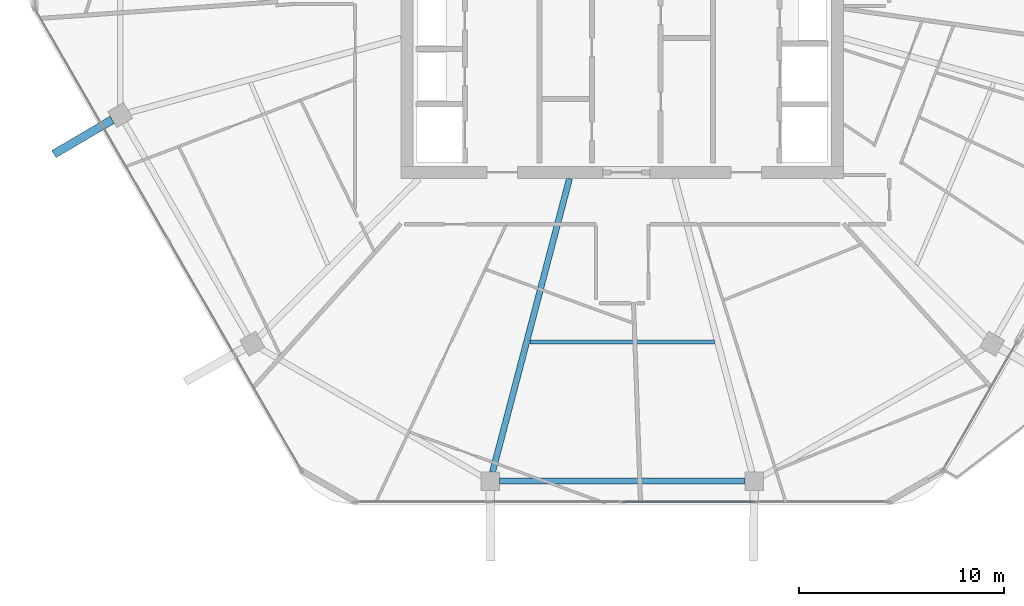
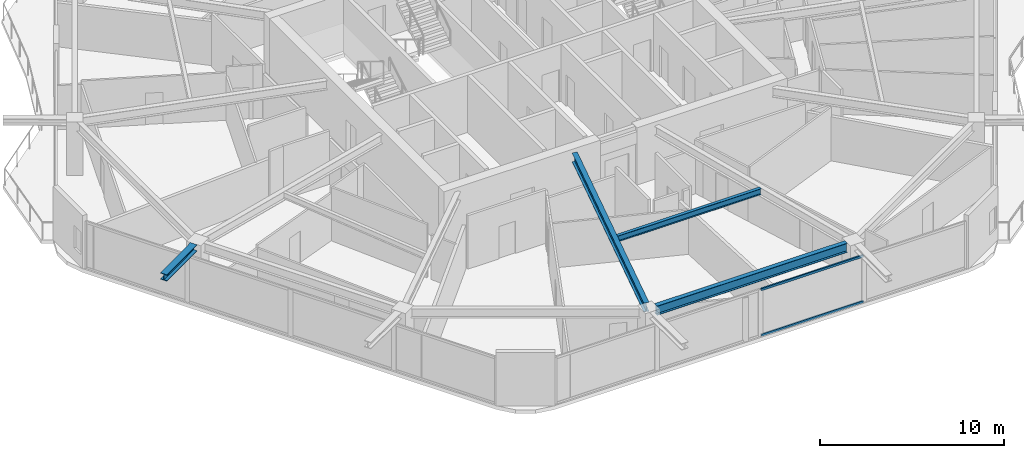
# One storey, part 4 of 25: 4 beams, 2 members, 1 element without a shape of its own.
"""IFC4 building model written with IfcOpenShell, lengths in metres."""

from ifc_helpers import new_model, si_unit, direction, frame, origin, origin_2d, place, context, subcontext, project, spatial, hollow_rectangle, i_section, extrude, material, material_profile, profile_set, type_object, element, aggregate, save


model = new_model("IFC4")

# Units and contexts
model_context = context("Model", 3, precision=1e-05, world=origin(), true_north=direction((0.0, 1.0)))
body_context = subcontext(model_context, "Body", "Model", "MODEL_VIEW")
ifc_project = project(units=[si_unit("LENGTHUNIT", "METRE"), si_unit("AREAUNIT", "SQUARE_METRE"), si_unit("VOLUMEUNIT", "CUBIC_METRE"), si_unit("PLANEANGLEUNIT", "RADIAN"), si_unit("MASSUNIT", "GRAM", prefix="KILO")], contexts=[model_context])

# Site, building, storey
site_placement = place(None, origin())
site = spatial("IfcSite", under=ifc_project, at=site_placement, CompositionType="ELEMENT")
building_placement = place(site_placement, origin())
building = spatial("IfcBuilding", under=site, at=building_placement, Name="Zuhravey Tower", CompositionType="ELEMENT")
storey_placement = place(building_placement, frame((0.0, 0.0, 235.0)))
storey = spatial("IfcBuildingStorey", under=building, at=storey_placement, Name="L59", CompositionType="ELEMENT", Elevation=235.0)

# Curtain wall, members
ifc_material_1 = material(Name="Thermally broken anodised aluminium", Category="aluminium")
curtain_wall_type = type_object("IfcCurtainWallType", Name="Zone 3-4 High-Rise Curtain Wall CW4", PredefinedType="NOTDEFINED", material=ifc_material_1)
curtain_wall_placement = place(storey_placement, origin())
curtain_wall = element("IfcCurtainWall", 1, at=curtain_wall_placement, inside=storey, type_object=curtain_wall_type, Name="L59 CW4 CW-L59-F5-1", PredefinedType="NOTDEFINED")
ifc_material_2 = material(Name="Anodised aluminium", Category="aluminium")
ifc_material_profile_1 = material_profile(ifc_material_2, hollow_rectangle(XDim=0.090087890625, YDim=0.14990234375, WallThickness=0.0048828125, at=origin_2d()), Name="ALU-RHS-90x150x5")
ifc_profile_set_1 = profile_set([ifc_material_profile_1], Name="Anodised aluminium")
member_type = type_object("IfcMemberType", Name="Curtain-Wall Transom 90x150", PredefinedType="USERDEFINED", material=ifc_profile_set_1)
member_1_placement = place(storey_placement, frame((42.46142578125, 6.436279296875, 0.044921875), z_axis=(-1.0, 0.0, 0.0), x_axis=(0.0, -1.0, 0.0)))
member_1 = element("IfcMember", 2, at=member_1_placement, type_object=member_type, Name="CW4 transom 2.1", ObjectType="TRANSOM", PredefinedType="USERDEFINED", context=body_context, shape_type="SweptSolid", body=[
    extrude(hollow_rectangle(XDim=0.090087890625, YDim=0.14990234375, WallThickness=0.0048828125, at=origin_2d()), origin(), (0.0, 0.0, 1.0), 6.41650390625),
])
member_2_placement = place(storey_placement, frame((42.46142578125, 6.436279296875, 3.076904296875), z_axis=(-1.0, 0.0, 0.0), x_axis=(0.0, -1.0, 0.0)))
member_2 = element("IfcMember", 3, at=member_2_placement, type_object=member_type, Name="CW4 transom 2.2", ObjectType="TRANSOM", PredefinedType="USERDEFINED", context=body_context, shape_type="SweptSolid", body=[
    extrude(hollow_rectangle(XDim=0.090087890625, YDim=0.14990234375, WallThickness=0.0048828125, at=origin_2d()), origin(), (0.0, 0.0, 1.0), 6.41650390625),
])
aggregate(curtain_wall, [member_1, member_2])

# Beams
ifc_material_3 = material(Name="Steel SM460", Category="steel")
ifc_material_profile_2 = material_profile(ifc_material_3, i_section(OverallWidth=0.406982421875, OverallDepth=0.427978515625, WebThickness=0.02001953125, FlangeThickness=0.034912109375, at=origin_2d()), Name="H-428x407x20x35")
ifc_profile_set_2 = profile_set([ifc_material_profile_2], Name="Steel SM460")
beam_type_1 = type_object("IfcBeamType", Name="Exoskeleton Node Tie Beam H428x407", PredefinedType="BEAM", material=ifc_profile_set_2)
beam_1_placement = place(storey_placement, frame((11.124267578125, 25.070556640625, 3.3359375), z_axis=(-0.861608927627, -0.507572709898, 0.0), x_axis=(0.507572709898, -0.861608927627, 0.0)))
element("IfcBeam", 4, at=beam_1_placement, inside=storey, type_object=beam_type_1, Name="L59 Exoskeleton Node Tie NT1-07", PredefinedType="BEAM", context=body_context, shape_type="SweptSolid", body=[
    extrude(i_section(OverallWidth=0.406982421875, OverallDepth=0.427978515625, WebThickness=0.02001953125, FlangeThickness=0.034912109375, at=origin_2d()), origin(), (0.0, 0.0, 1.0), 3.301025390625),
])
ifc_material_4 = material(Name="Steel SM355", Category="steel")
ifc_material_profile_3 = material_profile(ifc_material_4, i_section(OverallWidth=0.280029296875, OverallDepth=0.6201171875, WebThickness=0.011962890625, FlangeThickness=0.02001953125, at=origin_2d()), Name="H-620x280x12x20")
ifc_profile_set_3 = profile_set([ifc_material_profile_3], Name="Steel SM355")
beam_type_2 = type_object("IfcBeamType", Name="Perimeter Ring Beam H620x280", PredefinedType="BEAM", material=ifc_profile_set_3)
beam_2_placement = place(storey_placement, frame((30.01220703125, 7.4462890625, 3.239990234375), z_axis=(1.0, 0.0, 0.0), x_axis=(0.0, 1.0, 0.0)))
element("IfcBeam", 5, at=beam_2_placement, inside=storey, type_object=beam_type_2, Name="L59 PB3 BM-L59-PB-09", PredefinedType="BEAM", context=body_context, shape_type="SweptSolid", body=[
    extrude(i_section(OverallWidth=0.280029296875, OverallDepth=0.6201171875, WebThickness=0.011962890625, FlangeThickness=0.02001953125, at=origin_2d()), origin(), (0.0, 0.0, 1.0), 11.9755859375),
])
ifc_material_profile_4 = material_profile(ifc_material_4, i_section(OverallWidth=0.300048828125, OverallDepth=0.60009765625, WebThickness=0.011962890625, FlangeThickness=0.02001953125, at=origin_2d()), Name="H-600x300x12x20")
ifc_profile_set_4 = profile_set([ifc_material_profile_4], Name="Steel SM355")
beam_type_3 = type_object("IfcBeamType", Name="Radial Primary Girder H600x300", PredefinedType="BEAM", material=ifc_profile_set_4)
beam_3_placement = place(storey_placement, frame((33.428466796875, 22.197021484375, 3.25), z_axis=(-0.253731415841, -0.967274712073, 0.0), x_axis=(0.967274712073, -0.253731415841, 0.0)))
element("IfcBeam", 6, at=beam_3_placement, inside=storey, type_object=beam_type_3, Name="L59 RG3 BM-L59-RAD-09", PredefinedType="BEAM", context=body_context, shape_type="SweptSolid", body=[
    extrude(i_section(OverallWidth=0.300048828125, OverallDepth=0.60009765625, WebThickness=0.011962890625, FlangeThickness=0.02001953125, at=origin_2d()), origin(), (0.0, 0.0, 1.0), 14.796630859375),
])
ifc_material_profile_5 = material_profile(ifc_material_4, i_section(OverallWidth=0.199951171875, OverallDepth=0.39990234375, WebThickness=0.008056640625, FlangeThickness=0.012939453125, at=origin_2d()), Name="H-400x200x8x13")
ifc_profile_set_5 = profile_set([ifc_material_profile_5], Name="Steel SM355")
beam_type_4 = type_object("IfcBeamType", Name="Secondary Floor Joist H400x200", PredefinedType="JOIST", material=ifc_profile_set_5)
beam_4_placement = place(storey_placement, frame((31.492919921875, 14.231689453125, 3.35009765625), z_axis=(1.0, 0.0, 0.0), x_axis=(0.0, 1.0, 0.0)))
element("IfcBeam", 7, at=beam_4_placement, inside=storey, type_object=beam_type_4, Name="L59 SJ2 BM-L59-SJ-09-1", PredefinedType="JOIST", context=body_context, shape_type="SweptSolid", body=[
    extrude(i_section(OverallWidth=0.199951171875, OverallDepth=0.39990234375, WebThickness=0.008056640625, FlangeThickness=0.012939453125, at=origin_2d()), origin(), (0.0, 0.0, 1.0), 9.01416015625),
])

save(model, "model.ifc")
